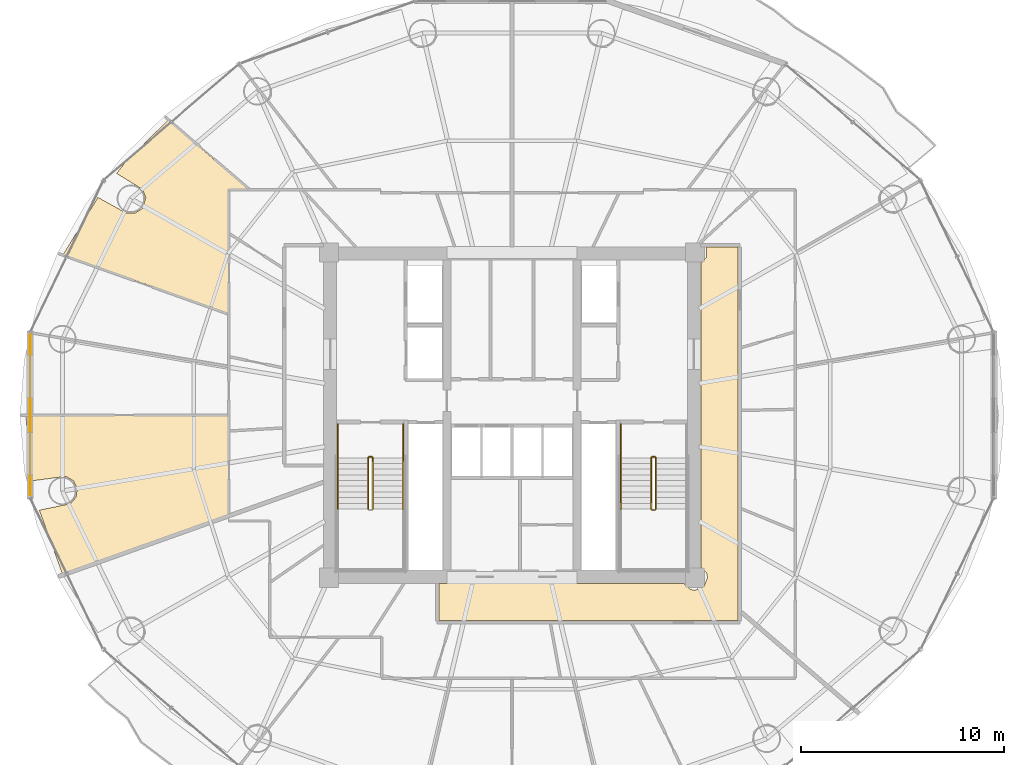
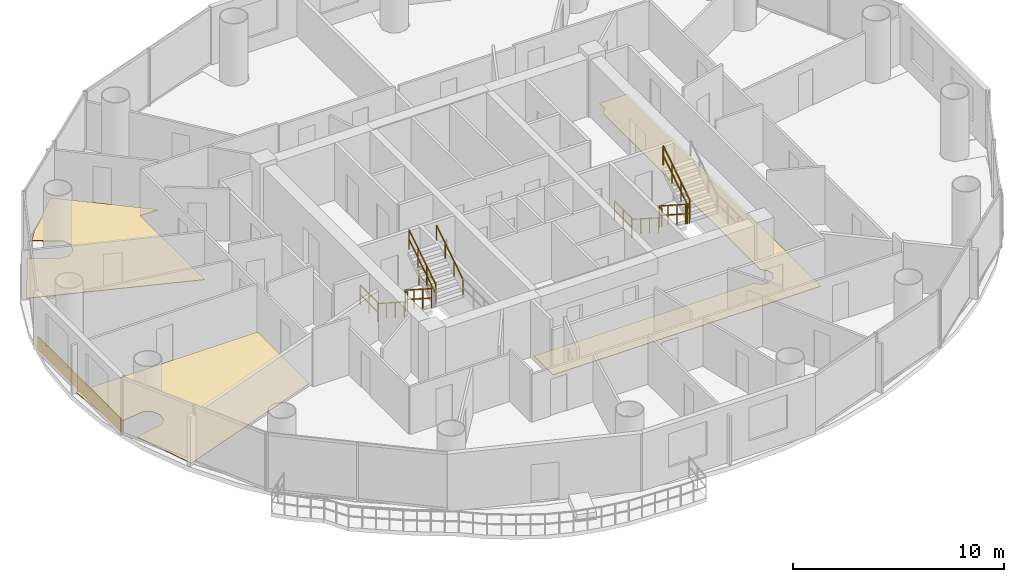
# One storey, part 26 of 27: 13 railings, 4 coverings.
"""IFC4 building model written with IfcOpenShell, lengths in metres."""

from ifc_helpers import new_model, si_unit, direction, frame, origin, origin_2d, place, context, subcontext, project, spatial, polyline, rectangle, outline, extrude, source, transform, mapped, material, layer, layer_set, type_object, element, save


model = new_model("IFC4")

# Units and contexts
model_context = context("Model", 3, precision=1e-05, world=origin(), true_north=direction((-0.2419218956, 0.970295726276)))
body_context = subcontext(model_context, "Body", "Model", "MODEL_VIEW")
ifc_project = project(units=[si_unit("LENGTHUNIT", "METRE"), si_unit("AREAUNIT", "SQUARE_METRE"), si_unit("VOLUMEUNIT", "CUBIC_METRE"), si_unit("PLANEANGLEUNIT", "RADIAN"), si_unit("MASSUNIT", "GRAM", prefix="KILO")], contexts=[model_context])

# Site, building, storey
site_placement = place(None, origin())
site = spatial("IfcSite", under=ifc_project, at=site_placement, CompositionType="ELEMENT")
building_placement = place(site_placement, origin())
building = spatial("IfcBuilding", under=site, at=building_placement, Name="Cobrevalo Terracotta Tower", CompositionType="ELEMENT")
storey_placement = place(building_placement, frame((0.0, 0.0, 146.199951171875)))
storey = spatial("IfcBuildingStorey", under=building, at=storey_placement, Name="L38", CompositionType="ELEMENT", Elevation=146.199951171875)

# Coverings
ifc_material_1 = material(Name="Engineered Brazilian hardwood flooring", Category="wood")
ifc_layer_1 = layer(ifc_material_1, 0.028076171875)
ifc_layer_set_1 = layer_set([ifc_layer_1], Name="Engineered Brazilian hardwood flooring")
covering_type_1 = type_object("IfcCoveringType", Name="Engineered Hardwood Suite Flooring 28", PredefinedType="FLOORING", material=ifc_layer_set_1)
covering_1_placement = place(storey_placement, origin())
element("IfcCovering", 1, at=covering_1_placement, inside=storey, type_object=covering_type_1, Name="Flat L38A Principal Guest Bedroom floor finish", PredefinedType="FLOORING", context=body_context, shape_type="SweptSolid", body=[
    extrude(outline(polyline([(17.632568359375, 37.50634765625), (19.017822265625, 36.736572265625), (19.447265625, 36.725830078125), (19.810302734375, 36.955322265625), (19.988525390625, 37.4931640625), (19.834228515625, 37.89404296875), (18.551513671875, 38.6865234375), (19.02197265625, 39.29052734375), (21.0888671875, 41.308837890625), (25.049072265625, 37.905029296875), (24.044921875, 37.905029296875), (24.044921875, 31.78955078125), (15.918212890625, 34.6826171875), (17.632568359375, 37.50634765625)])), origin(), (0.0, 0.0, 1.0), 0.030029296875),
])
covering_2_placement = place(storey_placement, origin())
element("IfcCovering", 2, at=covering_2_placement, inside=storey, type_object=covering_type_1, Name="Flat L38A Penthouse Family Lounge floor finish", PredefinedType="FLOORING", context=body_context, shape_type="SweptSolid", body=[
    extrude(outline(polyline([(14.08154296875, 26.780029296875), (24.044921875, 26.780029296875), (24.044921875, 21.85302734375), (15.898681640625, 18.95263671875), (14.748291015625, 22.121826171875), (16.2763671875, 22.43701171875), (16.55859375, 22.760986328125), (16.613037109375, 23.187255859375), (16.421630859375, 23.572021484375), (16.048583984375, 23.785400390625), (14.41357421875, 23.566162109375), (14.08154296875, 26.780029296875)])), origin(), (0.0, 0.0, 1.0), 0.030029296875),
])
ifc_material_2 = material(Name="Honed terracotta and granite tile", Category="masonry")
ifc_layer_2 = layer(ifc_material_2, 0.034912109375)
ifc_layer_set_2 = layer_set([ifc_layer_2], Name="Honed terracotta and granite tile")
covering_type_2 = type_object("IfcCoveringType", Name="Honed Terracotta & Granite Interior Flooring 35", PredefinedType="FLOORING", material=ifc_layer_set_2)
covering_3_placement = place(storey_placement, origin())
element("IfcCovering", 3, at=covering_3_placement, inside=storey, type_object=covering_type_2, Name="L38 Residential Floor Corridor 1 floor finish", PredefinedType="FLOORING", context=body_context, shape_type="SweptSolid", body=[
    extrude(outline(polyline([(34.419921875, 18.5048828125), (46.46533203125, 18.5048828125), (46.7626953125, 18.226806640625), (47.0, 18.1796875), (47.438720703125, 18.361328125), (47.620361328125, 18.800048828125), (47.5732421875, 19.037353515625), (47.294921875, 19.334716796875), (47.294921875, 34.265380859375), (47.5732421875, 34.5625), (47.5615234375, 35.054931640625), (49.10498046875, 35.054931640625), (49.10498046875, 16.695068359375), (34.419921875, 16.695068359375), (34.419921875, 18.5048828125)])), origin(), (0.0, 0.0, 1.0), 0.030029296875),
])

# Railings
ifc_material_3 = material(Name="Brushed stainless steel", Category="steel")
railing_type_1 = type_object("IfcRailingType", Name="Stainless Steel Stair Handrail 900", PredefinedType="HANDRAIL", material=ifc_material_3)
railing_1_placement = place(storey_placement, frame((29.425048828125, 24.699951171875, 0.179931640625)))
element("IfcRailing", 4, at=railing_1_placement, inside=storey, type_object=railing_type_1, Name="L38 ST-1 stair handrail 1", PredefinedType="HANDRAIL", context=body_context, shape_type="SweptSolid", body=[
    extrude(rectangle(XDim=0.048095703125, YDim=0.048095703125, at=origin_2d()), frame((0.0, 0.0, 0.8759765625), z_axis=(0.0, -0.841162588446, 0.540782303519), x_axis=(1.0, 0.0, 0.0)), (0.0, 0.0, 1.0), 2.995849609375),
    extrude(rectangle(XDim=0.0419921875, YDim=0.0419921875, at=origin_2d()), origin(), (0.0, 0.0, 1.0), 0.851806640625),
    extrude(rectangle(XDim=0.0419921875, YDim=0.0419921875, at=origin_2d()), frame((0.0, -0.840087890625, 0.5400390625)), (0.0, 0.0, 1.0), 0.851806640625),
    extrude(rectangle(XDim=0.0419921875, YDim=0.0419921875, at=origin_2d()), frame((0.0, -1.679931640625, 1.080078125)), (0.0, 0.0, 1.0), 0.851806640625),
    extrude(rectangle(XDim=0.0419921875, YDim=0.0419921875, at=origin_2d()), frame((0.0, -2.52001953125, 1.6201171875)), (0.0, 0.0, 1.0), 0.851806640625),
])
railing_2_placement = place(storey_placement, frame((32.64501953125, 22.179931640625, 1.97998046875)))
element("IfcRailing", 5, at=railing_2_placement, inside=storey, type_object=railing_type_1, Name="L38 ST-1 stair handrail 2", PredefinedType="HANDRAIL", context=body_context, shape_type="SweptSolid", body=[
    extrude(rectangle(XDim=0.048095703125, YDim=0.048095703125, at=origin_2d()), frame((0.0, 0.0, 0.8759765625), z_axis=(0.0, 0.841162588446, 0.540782303519), x_axis=(-1.0, 0.0, 0.0)), (0.0, 0.0, 1.0), 2.995849609375),
    extrude(rectangle(XDim=0.0419921875, YDim=0.0419921875, at=origin_2d()), origin(), (0.0, 0.0, 1.0), 0.851806640625),
    extrude(rectangle(XDim=0.0419921875, YDim=0.0419921875, at=origin_2d()), frame((0.0, 0.840087890625, 0.5400390625)), (0.0, 0.0, 1.0), 0.851806640625),
    extrude(rectangle(XDim=0.0419921875, YDim=0.0419921875, at=origin_2d()), frame((0.0, 1.679931640625, 1.080078125)), (0.0, 0.0, 1.0), 0.851806640625),
    extrude(rectangle(XDim=0.0419921875, YDim=0.0419921875, at=origin_2d()), frame((0.0, 2.52001953125, 1.6201171875)), (0.0, 0.0, 1.0), 0.851806640625),
])
railing_3_placement = place(storey_placement, frame((43.35498046875, 24.699951171875, 0.179931640625)))
element("IfcRailing", 6, at=railing_3_placement, inside=storey, type_object=railing_type_1, Name="L38 ST-2 stair handrail 1", PredefinedType="HANDRAIL", context=body_context, shape_type="SweptSolid", body=[
    extrude(rectangle(XDim=0.048095703125, YDim=0.048095703125, at=origin_2d()), frame((0.0, 0.0, 0.8759765625), z_axis=(0.0, -0.841162588446, 0.540782303519), x_axis=(1.0, 0.0, 0.0)), (0.0, 0.0, 1.0), 2.995849609375),
    extrude(rectangle(XDim=0.0419921875, YDim=0.0419921875, at=origin_2d()), origin(), (0.0, 0.0, 1.0), 0.851806640625),
    extrude(rectangle(XDim=0.0419921875, YDim=0.0419921875, at=origin_2d()), frame((0.0, -0.840087890625, 0.5400390625)), (0.0, 0.0, 1.0), 0.851806640625),
    extrude(rectangle(XDim=0.0419921875, YDim=0.0419921875, at=origin_2d()), frame((0.0, -1.679931640625, 1.080078125)), (0.0, 0.0, 1.0), 0.851806640625),
    extrude(rectangle(XDim=0.0419921875, YDim=0.0419921875, at=origin_2d()), frame((0.0, -2.52001953125, 1.6201171875)), (0.0, 0.0, 1.0), 0.851806640625),
])
ifc_material_4 = material(Name="Painted galvanized steel", Category="steel")
railing_type_2 = type_object("IfcRailingType", Name="Stair Well Guard Balustrade 1150", PredefinedType="GUARDRAIL", material=ifc_material_4)
railing_4_placement = place(storey_placement, frame((30.925048828125, 24.699951171875, 0.179931640625)))
element("IfcRailing", 7, at=railing_4_placement, inside=storey, type_object=railing_type_2, Name="L38 ST-1 stair guard 1", PredefinedType="GUARDRAIL", context=body_context, shape_type="SweptSolid", body=[
    extrude(rectangle(XDim=0.048095703125, YDim=0.048095703125, at=origin_2d()), frame((0.0, 0.0, 1.1259765625), z_axis=(0.0, -0.841162588446, 0.540782303519), x_axis=(1.0, 0.0, 0.0)), (0.0, 0.0, 1.0), 2.995849609375),
    extrude(rectangle(XDim=0.048095703125, YDim=0.048095703125, at=origin_2d()), frame((0.0, 0.0, 0.574951171875), z_axis=(0.0, -0.841162588446, 0.540782303519), x_axis=(1.0, 0.0, 0.0)), (0.0, 0.0, 1.0), 2.995849609375),
    extrude(rectangle(XDim=0.0419921875, YDim=0.0419921875, at=origin_2d()), origin(), (0.0, 0.0, 1.0), 1.101806640625),
    extrude(rectangle(XDim=0.0419921875, YDim=0.0419921875, at=origin_2d()), frame((0.0, -0.840087890625, 0.5400390625)), (0.0, 0.0, 1.0), 1.101806640625),
    extrude(rectangle(XDim=0.0419921875, YDim=0.0419921875, at=origin_2d()), frame((0.0, -1.679931640625, 1.080078125)), (0.0, 0.0, 1.0), 1.101806640625),
    extrude(rectangle(XDim=0.0419921875, YDim=0.0419921875, at=origin_2d()), frame((0.0, -2.52001953125, 1.6201171875)), (0.0, 0.0, 1.0), 1.101806640625),
])
railing_5_placement = place(storey_placement, frame((31.14501953125, 22.179931640625, 1.97998046875)))
element("IfcRailing", 8, at=railing_5_placement, inside=storey, type_object=railing_type_2, Name="L38 ST-1 stair guard 6", PredefinedType="GUARDRAIL", context=body_context, shape_type="SweptSolid", body=[
    extrude(rectangle(XDim=0.048095703125, YDim=0.048095703125, at=origin_2d()), frame((0.0, 0.0, 1.1259765625), z_axis=(0.0, 0.841162588446, 0.540782303519), x_axis=(-1.0, 0.0, 0.0)), (0.0, 0.0, 1.0), 2.995849609375),
    extrude(rectangle(XDim=0.048095703125, YDim=0.048095703125, at=origin_2d()), frame((0.0, 0.0, 0.574951171875), z_axis=(0.0, 0.841162588446, 0.540782303519), x_axis=(-1.0, 0.0, 0.0)), (0.0, 0.0, 1.0), 2.995849609375),
    extrude(rectangle(XDim=0.0419921875, YDim=0.0419921875, at=origin_2d()), origin(), (0.0, 0.0, 1.0), 1.101806640625),
    extrude(rectangle(XDim=0.0419921875, YDim=0.0419921875, at=origin_2d()), frame((0.0, 0.840087890625, 0.5400390625)), (0.0, 0.0, 1.0), 1.101806640625),
    extrude(rectangle(XDim=0.0419921875, YDim=0.0419921875, at=origin_2d()), frame((0.0, 1.679931640625, 1.080078125)), (0.0, 0.0, 1.0), 1.101806640625),
    extrude(rectangle(XDim=0.0419921875, YDim=0.0419921875, at=origin_2d()), frame((0.0, 2.52001953125, 1.6201171875)), (0.0, 0.0, 1.0), 1.101806640625),
])
railing_6_placement = place(storey_placement, frame((30.97509765625, 24.75, 0.0)))
element("IfcRailing", 9, at=railing_6_placement, inside=storey, type_object=railing_type_2, Name="L38 ST-1 stair guard 7", PredefinedType="GUARDRAIL", context=body_context, shape_type="SweptSolid", body=[
    extrude(rectangle(XDim=0.048095703125, YDim=0.048095703125, at=origin_2d()), frame((0.0, 0.0, 1.1259765625), z_axis=(1.0, 0.0, 0.0), x_axis=(0.0, 1.0, 0.0)), (0.0, 0.0, 1.0), 0.119873046875),
    extrude(rectangle(XDim=0.048095703125, YDim=0.048095703125, at=origin_2d()), frame((0.0, 0.0, 0.574951171875), z_axis=(1.0, 0.0, 0.0), x_axis=(0.0, 1.0, 0.0)), (0.0, 0.0, 1.0), 0.119873046875),
    extrude(rectangle(XDim=0.0419921875, YDim=0.0419921875, at=origin_2d()), origin(), (0.0, 0.0, 1.0), 1.101806640625),
    extrude(rectangle(XDim=0.0419921875, YDim=0.0419921875, at=origin_2d()), frame((0.119873046875, 0.0, 0.0)), (0.0, 0.0, 1.0), 1.101806640625),
])
for number, where, name in (
    (10, (29.425048828125, 26.35009765625, 0.0), "L38 ST-1 stair guard 8"),
    (11, (32.64501953125, 26.35009765625, 0.0), "L38 ST-1 stair guard 9"),
):
    element("IfcRailing", number, at=place(storey_placement, frame(where)), inside=storey, type_object=railing_type_2, Name=name, PredefinedType="GUARDRAIL", context=body_context, shape_type="SweptSolid", body=[
        extrude(rectangle(XDim=0.048095703125, YDim=0.048095703125, at=origin_2d()), frame((0.0, 0.0, 1.1259765625), z_axis=(0.0, -1.0, 0.0), x_axis=(1.0, 0.0, 0.0)), (0.0, 0.0, 1.0), 1.650146484375),
        extrude(rectangle(XDim=0.048095703125, YDim=0.048095703125, at=origin_2d()), frame((0.0, 0.0, 0.574951171875), z_axis=(0.0, -1.0, 0.0), x_axis=(1.0, 0.0, 0.0)), (0.0, 0.0, 1.0), 1.650146484375),
        extrude(rectangle(XDim=0.0419921875, YDim=0.0419921875, at=origin_2d()), origin(), (0.0, 0.0, 1.0), 1.101806640625),
        extrude(rectangle(XDim=0.0419921875, YDim=0.0419921875, at=origin_2d()), frame((0.0, -0.8251953125, 0.0)), (0.0, 0.0, 1.0), 1.101806640625),
        extrude(rectangle(XDim=0.0419921875, YDim=0.0419921875, at=origin_2d()), frame((0.0, -1.650146484375, 0.0)), (0.0, 0.0, 1.0), 1.101806640625),
    ])
railing_7_placement = place(storey_placement, frame((44.85498046875, 24.699951171875, 0.179931640625)))
element("IfcRailing", 12, at=railing_7_placement, inside=storey, type_object=railing_type_2, Name="L38 ST-2 stair guard 1", PredefinedType="GUARDRAIL", context=body_context, shape_type="SweptSolid", body=[
    extrude(rectangle(XDim=0.048095703125, YDim=0.048095703125, at=origin_2d()), frame((0.0, 0.0, 1.1259765625), z_axis=(0.0, -0.841162588446, 0.540782303519), x_axis=(1.0, 0.0, 0.0)), (0.0, 0.0, 1.0), 2.995849609375),
    extrude(rectangle(XDim=0.048095703125, YDim=0.048095703125, at=origin_2d()), frame((0.0, 0.0, 0.574951171875), z_axis=(0.0, -0.841162588446, 0.540782303519), x_axis=(1.0, 0.0, 0.0)), (0.0, 0.0, 1.0), 2.995849609375),
    extrude(rectangle(XDim=0.0419921875, YDim=0.0419921875, at=origin_2d()), origin(), (0.0, 0.0, 1.0), 1.101806640625),
    extrude(rectangle(XDim=0.0419921875, YDim=0.0419921875, at=origin_2d()), frame((0.0, -0.840087890625, 0.5400390625)), (0.0, 0.0, 1.0), 1.101806640625),
    extrude(rectangle(XDim=0.0419921875, YDim=0.0419921875, at=origin_2d()), frame((0.0, -1.679931640625, 1.080078125)), (0.0, 0.0, 1.0), 1.101806640625),
    extrude(rectangle(XDim=0.0419921875, YDim=0.0419921875, at=origin_2d()), frame((0.0, -2.52001953125, 1.6201171875)), (0.0, 0.0, 1.0), 1.101806640625),
])
railing_8_placement = place(storey_placement, frame((44.905029296875, 22.1298828125, 1.800048828125)))
element("IfcRailing", 13, at=railing_8_placement, inside=storey, type_object=railing_type_2, Name="L38 ST-2 stair guard 2", PredefinedType="GUARDRAIL", context=body_context, shape_type="SweptSolid", body=[
    extrude(rectangle(XDim=0.048095703125, YDim=0.048095703125, at=origin_2d()), frame((0.0, 0.0, 1.1259765625), z_axis=(1.0, 0.0, 0.0), x_axis=(0.0, 1.0, 0.0)), (0.0, 0.0, 1.0), 0.119873046875),
    extrude(rectangle(XDim=0.048095703125, YDim=0.048095703125, at=origin_2d()), frame((0.0, 0.0, 0.574951171875), z_axis=(1.0, 0.0, 0.0), x_axis=(0.0, 1.0, 0.0)), (0.0, 0.0, 1.0), 0.119873046875),
    extrude(rectangle(XDim=0.0419921875, YDim=0.0419921875, at=origin_2d()), origin(), (0.0, 0.0, 1.0), 1.101806640625),
    extrude(rectangle(XDim=0.0419921875, YDim=0.0419921875, at=origin_2d()), frame((0.119873046875, 0.0, 0.0)), (0.0, 0.0, 1.0), 1.101806640625),
])
railing_9_placement = place(storey_placement, frame((45.074951171875, 22.179931640625, 1.97998046875)))
element("IfcRailing", 14, at=railing_9_placement, inside=storey, type_object=railing_type_2, Name="L38 ST-2 stair guard 6", PredefinedType="GUARDRAIL", context=body_context, shape_type="SweptSolid", body=[
    extrude(rectangle(XDim=0.048095703125, YDim=0.048095703125, at=origin_2d()), frame((0.0, 0.0, 1.1259765625), z_axis=(0.0, 0.841162588446, 0.540782303519), x_axis=(-1.0, 0.0, 0.0)), (0.0, 0.0, 1.0), 2.995849609375),
    extrude(rectangle(XDim=0.048095703125, YDim=0.048095703125, at=origin_2d()), frame((0.0, 0.0, 0.574951171875), z_axis=(0.0, 0.841162588446, 0.540782303519), x_axis=(-1.0, 0.0, 0.0)), (0.0, 0.0, 1.0), 2.995849609375),
    extrude(rectangle(XDim=0.0419921875, YDim=0.0419921875, at=origin_2d()), origin(), (0.0, 0.0, 1.0), 1.101806640625),
    extrude(rectangle(XDim=0.0419921875, YDim=0.0419921875, at=origin_2d()), frame((0.0, 0.840087890625, 0.5400390625)), (0.0, 0.0, 1.0), 1.101806640625),
    extrude(rectangle(XDim=0.0419921875, YDim=0.0419921875, at=origin_2d()), frame((0.0, 1.679931640625, 1.080078125)), (0.0, 0.0, 1.0), 1.101806640625),
    extrude(rectangle(XDim=0.0419921875, YDim=0.0419921875, at=origin_2d()), frame((0.0, 2.52001953125, 1.6201171875)), (0.0, 0.0, 1.0), 1.101806640625),
])
railing_10_placement = place(storey_placement, frame((44.905029296875, 24.75, 0.0)))
element("IfcRailing", 15, at=railing_10_placement, inside=storey, type_object=railing_type_2, Name="L38 ST-2 stair guard 7", PredefinedType="GUARDRAIL", context=body_context, shape_type="SweptSolid", body=[
    extrude(rectangle(XDim=0.048095703125, YDim=0.048095703125, at=origin_2d()), frame((0.0, 0.0, 1.1259765625), z_axis=(1.0, 0.0, 0.0), x_axis=(0.0, 1.0, 0.0)), (0.0, 0.0, 1.0), 0.119873046875),
    extrude(rectangle(XDim=0.048095703125, YDim=0.048095703125, at=origin_2d()), frame((0.0, 0.0, 0.574951171875), z_axis=(1.0, 0.0, 0.0), x_axis=(0.0, 1.0, 0.0)), (0.0, 0.0, 1.0), 0.119873046875),
    extrude(rectangle(XDim=0.0419921875, YDim=0.0419921875, at=origin_2d()), origin(), (0.0, 0.0, 1.0), 1.101806640625),
    extrude(rectangle(XDim=0.0419921875, YDim=0.0419921875, at=origin_2d()), frame((0.119873046875, 0.0, 0.0)), (0.0, 0.0, 1.0), 1.101806640625),
])
railing_11_placement = place(storey_placement, frame((43.35498046875, 26.35009765625, 0.0)))
element("IfcRailing", 16, at=railing_11_placement, inside=storey, type_object=railing_type_2, Name="L38 ST-2 stair guard 8", PredefinedType="GUARDRAIL", context=body_context, shape_type="SweptSolid", body=[
    extrude(rectangle(XDim=0.048095703125, YDim=0.048095703125, at=origin_2d()), frame((0.0, 0.0, 1.1259765625), z_axis=(0.0, -1.0, 0.0), x_axis=(1.0, 0.0, 0.0)), (0.0, 0.0, 1.0), 1.650146484375),
    extrude(rectangle(XDim=0.048095703125, YDim=0.048095703125, at=origin_2d()), frame((0.0, 0.0, 0.574951171875), z_axis=(0.0, -1.0, 0.0), x_axis=(1.0, 0.0, 0.0)), (0.0, 0.0, 1.0), 1.650146484375),
    extrude(rectangle(XDim=0.0419921875, YDim=0.0419921875, at=origin_2d()), origin(), (0.0, 0.0, 1.0), 1.101806640625),
    extrude(rectangle(XDim=0.0419921875, YDim=0.0419921875, at=origin_2d()), frame((0.0, -0.8251953125, 0.0)), (0.0, 0.0, 1.0), 1.101806640625),
    extrude(rectangle(XDim=0.0419921875, YDim=0.0419921875, at=origin_2d()), frame((0.0, -1.650146484375, 0.0)), (0.0, 0.0, 1.0), 1.101806640625),
])

# Covering
ifc_material_5 = material(Name="Glazed terracotta facade cladding tile", Category="masonry")
ifc_layer_3 = layer(ifc_material_5, 0.044921875)
ifc_layer_set_3 = layer_set([ifc_layer_3], Name="Glazed terracotta facade cladding tile")
covering_type_3 = type_object("IfcCoveringType", Name="Architectural terracotta rainscreen spandrel cladding 45 mm", PredefinedType="CLADDING", material=ifc_layer_set_3)
shared_shape = source(origin(), body_context, "Body", "SweptSolid", [
    extrude(rectangle(XDim=7.904052734375, YDim=0.044921875, at=origin_2d()), origin(), (0.0, 0.0, 1.0), 0.760009765625),
])
covering_4_placement = place(storey_placement, frame((14.29443359375, 26.800048828125, 0.0400390625), z_axis=(0.0, 0.0, 1.0), x_axis=(0.0, -1.0, 0.0)))
element("IfcCovering", 17, at=covering_4_placement, inside=storey, type_object=covering_type_3, Name="L38 terracotta spandrel cladding S08", PredefinedType="CLADDING", context=body_context, shape_type="MappedRepresentation", body=[
    mapped(shared_shape, transform((0.0, 0.0, 0.0), scale=1.0)),
])

save(model, "model.ifc")
